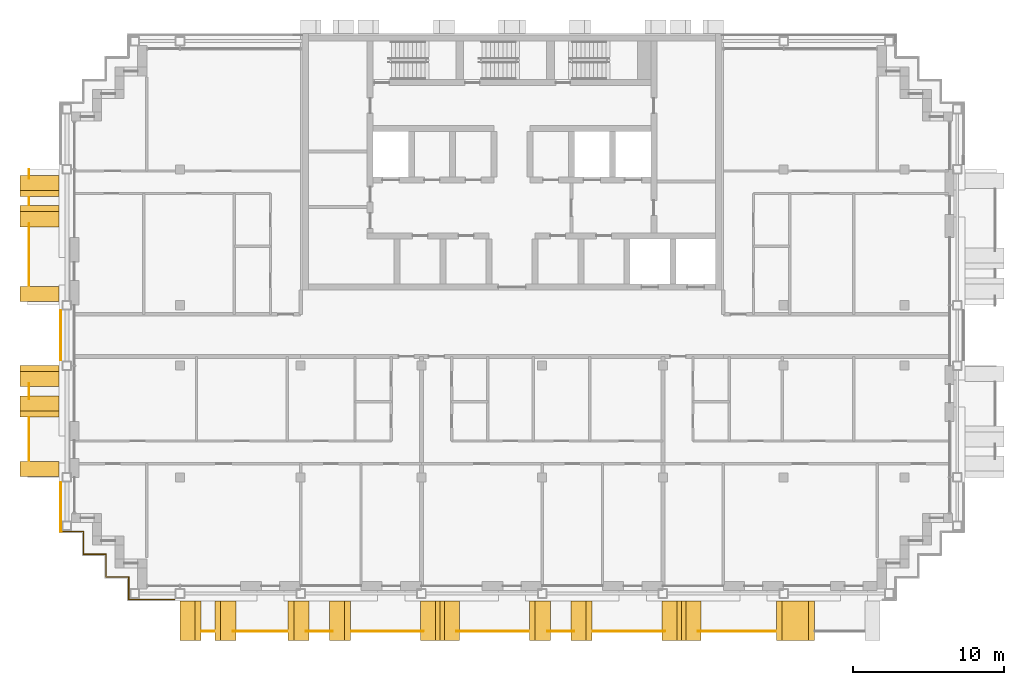
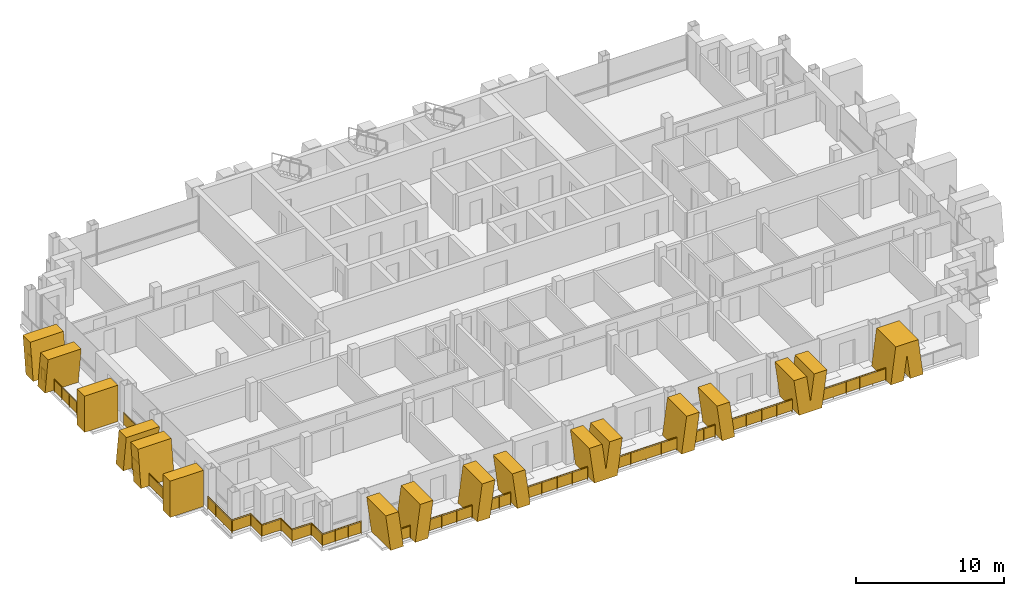
# One storey, part 12 of 15: 16 railings, 15 shading devices.
"""IFC4 building model written with IfcOpenShell, lengths in metres."""

from ifc_helpers import new_model, si_unit, direction, frame, origin, origin_2d, place, context, subcontext, project, spatial, polyline, rectangle, circle, outline, extrude, material, layer, layer_set, type_object, element, save


model = new_model("IFC4")

# Units and contexts
model_context = context("Model", 3, precision=1e-05, world=origin(), true_north=direction((0.0, 1.0)))
body_context = subcontext(model_context, "Body", "Model", "MODEL_VIEW")
ifc_project = project(units=[si_unit("LENGTHUNIT", "METRE"), si_unit("AREAUNIT", "SQUARE_METRE"), si_unit("VOLUMEUNIT", "CUBIC_METRE"), si_unit("PLANEANGLEUNIT", "RADIAN"), si_unit("MASSUNIT", "GRAM", prefix="KILO")], contexts=[model_context])

# Site, building, storey
site_placement = place(None, origin())
site = spatial("IfcSite", under=ifc_project, at=site_placement, CompositionType="ELEMENT")
building_placement = place(site_placement, origin())
building = spatial("IfcBuilding", under=site, at=building_placement, Name="Vidyagriha Tower", CompositionType="ELEMENT")
storey_placement = place(building_placement, frame((0.0, 0.0, 226.800048828125)))
storey = spatial("IfcBuildingStorey", under=building, at=storey_placement, Name="L59", CompositionType="ELEMENT", Elevation=226.800048828125)

# Railings
ifc_material_1 = material(Name="Steel ASTM A500 Grade C black painted", Category="steel")
railing_type_1 = type_object("IfcRailingType", Name="Balcony guard 1100", PredefinedType="BALUSTRADE", material=ifc_material_1)
railing_1_placement = place(storey_placement, frame((-32.0, 11.0, 0.0)))
element("IfcRailing", 1, at=railing_1_placement, inside=storey, type_object=railing_type_1, Name="Balcony guard L59 R16.1-1", PredefinedType="BALUSTRADE", context=body_context, shape_type="SweptSolid", body=[
    extrude(circle(Radius=0.02490234375, at=origin_2d()), frame((0.0, 0.0, 1.0751953125), z_axis=(0.0, -1.0, 0.0), x_axis=(1.0, 0.0, 0.0)), (0.0, 0.0, 1.0), 0.5966796875),
    extrude(circle(Radius=0.02001953125, at=origin_2d()), origin(), (0.0, 0.0, 1.0), 1.050048828125),
    extrude(circle(Radius=0.02001953125, at=origin_2d()), frame((0.0, -0.5966796875, 0.0)), (0.0, 0.0, 1.0), 1.050048828125),
    extrude(rectangle(XDim=0.010009765625, YDim=0.900146484375, at=origin_2d()), frame((0.0, 0.0, 0.550048828125), z_axis=(0.0, -1.0, 0.0), x_axis=(1.0, 0.0, 0.0)), (0.0, 0.0, 1.0), 0.5966796875),
])
railing_2_placement = place(storey_placement, frame((-32.0, 9.14990234375, 0.0)))
element("IfcRailing", 2, at=railing_2_placement, inside=storey, type_object=railing_type_1, Name="Balcony guard L59 R16.1-2", PredefinedType="BALUSTRADE", context=body_context, shape_type="SweptSolid", body=[
    extrude(circle(Radius=0.02490234375, at=origin_2d()), frame((0.0, 0.0, 1.0751953125), z_axis=(0.0, -1.0, 0.0), x_axis=(1.0, 0.0, 0.0)), (0.0, 0.0, 1.0), 0.5),
    extrude(circle(Radius=0.02001953125, at=origin_2d()), origin(), (0.0, 0.0, 1.0), 1.050048828125),
    extrude(circle(Radius=0.02001953125, at=origin_2d()), frame((0.0, -0.5, 0.0)), (0.0, 0.0, 1.0), 1.050048828125),
    extrude(rectangle(XDim=0.010009765625, YDim=0.900146484375, at=origin_2d()), frame((0.0, 0.0, 0.550048828125), z_axis=(0.0, -1.0, 0.0), x_axis=(1.0, 0.0, 0.0)), (0.0, 0.0, 1.0), 0.5),
])
railing_3_placement = place(storey_placement, frame((-32.0, 7.396728515625, 0.0)))
element("IfcRailing", 3, at=railing_3_placement, inside=storey, type_object=railing_type_1, Name="Balcony guard L59 R16.1-3", PredefinedType="BALUSTRADE", context=body_context, shape_type="SweptSolid", body=[
    extrude(circle(Radius=0.02490234375, at=origin_2d()), frame((0.0, 0.0, 1.0751953125), z_axis=(0.0, -1.0, 0.0), x_axis=(1.0, 0.0, 0.0)), (0.0, 0.0, 1.0), 4.0966796875),
    extrude(circle(Radius=0.02001953125, at=origin_2d()), origin(), (0.0, 0.0, 1.0), 1.050048828125),
    extrude(circle(Radius=0.02001953125, at=origin_2d()), frame((0.0, -1.024169921875, 0.0)), (0.0, 0.0, 1.0), 1.050048828125),
    extrude(circle(Radius=0.02001953125, at=origin_2d()), frame((0.0, -2.04833984375, 0.0)), (0.0, 0.0, 1.0), 1.050048828125),
    extrude(circle(Radius=0.02001953125, at=origin_2d()), frame((0.0, -3.072509765625, 0.0)), (0.0, 0.0, 1.0), 1.050048828125),
    extrude(circle(Radius=0.02001953125, at=origin_2d()), frame((0.0, -4.0966796875, 0.0)), (0.0, 0.0, 1.0), 1.050048828125),
    extrude(rectangle(XDim=0.010009765625, YDim=0.900146484375, at=origin_2d()), frame((0.0, 0.0, 0.550048828125), z_axis=(0.0, -1.0, 0.0), x_axis=(1.0, 0.0, 0.0)), (0.0, 0.0, 1.0), 4.0966796875),
])
railing_4_placement = place(storey_placement, frame((-32.0, -3.203369140625, 0.0)))
element("IfcRailing", 4, at=railing_4_placement, inside=storey, type_object=railing_type_1, Name="Balcony guard L59 R16.2-1", PredefinedType="BALUSTRADE", context=body_context, shape_type="SweptSolid", body=[
    extrude(circle(Radius=0.02490234375, at=origin_2d()), frame((0.0, 0.0, 1.0751953125), z_axis=(0.0, -1.0, 0.0), x_axis=(1.0, 0.0, 0.0)), (0.0, 0.0, 1.0), 0.993408203125),
    extrude(circle(Radius=0.02001953125, at=origin_2d()), origin(), (0.0, 0.0, 1.0), 1.050048828125),
    extrude(circle(Radius=0.02001953125, at=origin_2d()), frame((0.0, -0.993408203125, 0.0)), (0.0, 0.0, 1.0), 1.050048828125),
    extrude(rectangle(XDim=0.010009765625, YDim=0.900146484375, at=origin_2d()), frame((0.0, 0.0, 0.550048828125), z_axis=(0.0, -1.0, 0.0), x_axis=(1.0, 0.0, 0.0)), (0.0, 0.0, 1.0), 0.993408203125),
])
railing_5_placement = place(storey_placement, frame((-32.0, -5.449951171875, 0.0)))
element("IfcRailing", 5, at=railing_5_placement, inside=storey, type_object=railing_type_1, Name="Balcony guard L59 R16.2-2", PredefinedType="BALUSTRADE", context=body_context, shape_type="SweptSolid", body=[
    extrude(circle(Radius=0.02490234375, at=origin_2d()), frame((0.0, 0.0, 1.0751953125), z_axis=(0.0, -1.0, 0.0), x_axis=(1.0, 0.0, 0.0)), (0.0, 0.0, 1.0), 2.85009765625),
    extrude(circle(Radius=0.02001953125, at=origin_2d()), origin(), (0.0, 0.0, 1.0), 1.050048828125),
    extrude(circle(Radius=0.02001953125, at=origin_2d()), frame((0.0, -0.949951171875, 0.0)), (0.0, 0.0, 1.0), 1.050048828125),
    extrude(circle(Radius=0.02001953125, at=origin_2d()), frame((0.0, -1.900146484375, 0.0)), (0.0, 0.0, 1.0), 1.050048828125),
    extrude(circle(Radius=0.02001953125, at=origin_2d()), frame((0.0, -2.85009765625, 0.0)), (0.0, 0.0, 1.0), 1.050048828125),
    extrude(rectangle(XDim=0.010009765625, YDim=0.900146484375, at=origin_2d()), frame((0.0, 0.0, 0.550048828125), z_axis=(0.0, -1.0, 0.0), x_axis=(1.0, 0.0, 0.0)), (0.0, 0.0, 1.0), 2.85009765625),
])
railing_6_placement = place(storey_placement, frame((-20.564208984375, -19.60009765625, 0.0)))
element("IfcRailing", 6, at=railing_6_placement, inside=storey, type_object=railing_type_1, Name="Balcony guard L59 R23.1-1", PredefinedType="BALUSTRADE", context=body_context, shape_type="SweptSolid", body=[
    extrude(circle(Radius=0.02490234375, at=origin_2d()), frame((0.0, 0.0, 1.0751953125), z_axis=(1.0, 0.0, 0.0), x_axis=(0.0, 1.0, 0.0)), (0.0, 0.0, 1.0), 0.82861328125),
    extrude(circle(Radius=0.02001953125, at=origin_2d()), origin(), (0.0, 0.0, 1.0), 1.050048828125),
    extrude(circle(Radius=0.02001953125, at=origin_2d()), frame((0.82861328125, 0.0, 0.0)), (0.0, 0.0, 1.0), 1.050048828125),
    extrude(rectangle(XDim=0.010009765625, YDim=0.900146484375, at=origin_2d()), frame((0.0, 0.0, 0.550048828125), z_axis=(1.0, 0.0, 0.0), x_axis=(0.0, 1.0, 0.0)), (0.0, 0.0, 1.0), 0.82861328125),
])
railing_7_placement = place(storey_placement, frame((-18.48779296875, -19.60009765625, 0.0)))
element("IfcRailing", 7, at=railing_7_placement, inside=storey, type_object=railing_type_1, Name="Balcony guard L59 R23.1-2", PredefinedType="BALUSTRADE", context=body_context, shape_type="SweptSolid", body=[
    extrude(circle(Radius=0.02490234375, at=origin_2d()), frame((0.0, 0.0, 1.0751953125), z_axis=(1.0, 0.0, 0.0), x_axis=(0.0, 1.0, 0.0)), (0.0, 0.0, 1.0), 3.582763671875),
    extrude(circle(Radius=0.02001953125, at=origin_2d()), origin(), (0.0, 0.0, 1.0), 1.050048828125),
    extrude(circle(Radius=0.02001953125, at=origin_2d()), frame((1.1943359375, 0.0, 0.0)), (0.0, 0.0, 1.0), 1.050048828125),
    extrude(circle(Radius=0.02001953125, at=origin_2d()), frame((2.388427734375, 0.0, 0.0)), (0.0, 0.0, 1.0), 1.050048828125),
    extrude(circle(Radius=0.02001953125, at=origin_2d()), frame((3.582763671875, 0.0, 0.0)), (0.0, 0.0, 1.0), 1.050048828125),
    extrude(rectangle(XDim=0.010009765625, YDim=0.900146484375, at=origin_2d()), frame((0.0, 0.0, 0.550048828125), z_axis=(1.0, 0.0, 0.0), x_axis=(0.0, 1.0, 0.0)), (0.0, 0.0, 1.0), 3.582763671875),
])
railing_8_placement = place(storey_placement, frame((-13.653564453125, -19.60009765625, 0.0)))
element("IfcRailing", 8, at=railing_8_placement, inside=storey, type_object=railing_type_1, Name="Balcony guard L59 R23.1-3", PredefinedType="BALUSTRADE", context=body_context, shape_type="SweptSolid", body=[
    extrude(circle(Radius=0.02490234375, at=origin_2d()), frame((0.0, 0.0, 1.0751953125), z_axis=(1.0, 0.0, 0.0), x_axis=(0.0, 1.0, 0.0)), (0.0, 0.0, 1.0), 1.757080078125),
    extrude(circle(Radius=0.02001953125, at=origin_2d()), origin(), (0.0, 0.0, 1.0), 1.050048828125),
    extrude(circle(Radius=0.02001953125, at=origin_2d()), frame((0.87841796875, 0.0, 0.0)), (0.0, 0.0, 1.0), 1.050048828125),
    extrude(circle(Radius=0.02001953125, at=origin_2d()), frame((1.757080078125, 0.0, 0.0)), (0.0, 0.0, 1.0), 1.050048828125),
    extrude(rectangle(XDim=0.010009765625, YDim=0.900146484375, at=origin_2d()), frame((0.0, 0.0, 0.550048828125), z_axis=(1.0, 0.0, 0.0), x_axis=(0.0, 1.0, 0.0)), (0.0, 0.0, 1.0), 1.757080078125),
])
railing_9_placement = place(storey_placement, frame((-10.64501953125, -19.60009765625, 0.0)))
element("IfcRailing", 9, at=railing_9_placement, inside=storey, type_object=railing_type_1, Name="Balcony guard L59 R23.1-4", PredefinedType="BALUSTRADE", context=body_context, shape_type="SweptSolid", body=[
    extrude(circle(Radius=0.02490234375, at=origin_2d()), frame((0.0, 0.0, 1.0751953125), z_axis=(1.0, 0.0, 0.0), x_axis=(0.0, 1.0, 0.0)), (0.0, 0.0, 1.0), 4.773681640625),
    extrude(circle(Radius=0.02001953125, at=origin_2d()), origin(), (0.0, 0.0, 1.0), 1.050048828125),
    extrude(circle(Radius=0.02001953125, at=origin_2d()), frame((1.193359375, 0.0, 0.0)), (0.0, 0.0, 1.0), 1.050048828125),
    extrude(circle(Radius=0.02001953125, at=origin_2d()), frame((2.38671875, 0.0, 0.0)), (0.0, 0.0, 1.0), 1.050048828125),
    extrude(circle(Radius=0.02001953125, at=origin_2d()), frame((3.580322265625, 0.0, 0.0)), (0.0, 0.0, 1.0), 1.050048828125),
    extrude(circle(Radius=0.02001953125, at=origin_2d()), frame((4.773681640625, 0.0, 0.0)), (0.0, 0.0, 1.0), 1.050048828125),
    extrude(rectangle(XDim=0.010009765625, YDim=0.900146484375, at=origin_2d()), frame((0.0, 0.0, 0.550048828125), z_axis=(1.0, 0.0, 0.0), x_axis=(0.0, 1.0, 0.0)), (0.0, 0.0, 1.0), 4.773681640625),
])
railing_10_placement = place(storey_placement, frame((-3.678466796875, -19.60009765625, 0.0)))
element("IfcRailing", 10, at=railing_10_placement, inside=storey, type_object=railing_type_1, Name="Balcony guard L59 R23.1-5", PredefinedType="BALUSTRADE", context=body_context, shape_type="SweptSolid", body=[
    extrude(circle(Radius=0.02490234375, at=origin_2d()), frame((0.0, 0.0, 1.0751953125), z_axis=(1.0, 0.0, 0.0), x_axis=(0.0, 1.0, 0.0)), (0.0, 0.0, 1.0), 4.7734375),
    extrude(circle(Radius=0.02001953125, at=origin_2d()), origin(), (0.0, 0.0, 1.0), 1.050048828125),
    extrude(circle(Radius=0.02001953125, at=origin_2d()), frame((1.193359375, 0.0, 0.0)), (0.0, 0.0, 1.0), 1.050048828125),
    extrude(circle(Radius=0.02001953125, at=origin_2d()), frame((2.38671875, 0.0, 0.0)), (0.0, 0.0, 1.0), 1.050048828125),
    extrude(circle(Radius=0.02001953125, at=origin_2d()), frame((3.580078125, 0.0, 0.0)), (0.0, 0.0, 1.0), 1.050048828125),
    extrude(circle(Radius=0.02001953125, at=origin_2d()), frame((4.7734375, 0.0, 0.0)), (0.0, 0.0, 1.0), 1.050048828125),
    extrude(rectangle(XDim=0.010009765625, YDim=0.900146484375, at=origin_2d()), frame((0.0, 0.0, 0.550048828125), z_axis=(1.0, 0.0, 0.0), x_axis=(0.0, 1.0, 0.0)), (0.0, 0.0, 1.0), 4.7734375),
])
railing_11_placement = place(storey_placement, frame((2.346435546875, -19.60009765625, 0.0)))
element("IfcRailing", 11, at=railing_11_placement, inside=storey, type_object=railing_type_1, Name="Balcony guard L59 R23.1-6", PredefinedType="BALUSTRADE", context=body_context, shape_type="SweptSolid", body=[
    extrude(circle(Radius=0.02490234375, at=origin_2d()), frame((0.0, 0.0, 1.0751953125), z_axis=(1.0, 0.0, 0.0), x_axis=(0.0, 1.0, 0.0)), (0.0, 0.0, 1.0), 1.757080078125),
    extrude(circle(Radius=0.02001953125, at=origin_2d()), origin(), (0.0, 0.0, 1.0), 1.050048828125),
    extrude(circle(Radius=0.02001953125, at=origin_2d()), frame((0.87841796875, 0.0, 0.0)), (0.0, 0.0, 1.0), 1.050048828125),
    extrude(circle(Radius=0.02001953125, at=origin_2d()), frame((1.757080078125, 0.0, 0.0)), (0.0, 0.0, 1.0), 1.050048828125),
    extrude(rectangle(XDim=0.010009765625, YDim=0.900146484375, at=origin_2d()), frame((0.0, 0.0, 0.550048828125), z_axis=(1.0, 0.0, 0.0), x_axis=(0.0, 1.0, 0.0)), (0.0, 0.0, 1.0), 1.757080078125),
])
railing_12_placement = place(storey_placement, frame((5.35498046875, -19.60009765625, 0.0)))
element("IfcRailing", 12, at=railing_12_placement, inside=storey, type_object=railing_type_1, Name="Balcony guard L59 R23.1-7", PredefinedType="BALUSTRADE", context=body_context, shape_type="SweptSolid", body=[
    extrude(circle(Radius=0.02490234375, at=origin_2d()), frame((0.0, 0.0, 1.0751953125), z_axis=(1.0, 0.0, 0.0), x_axis=(0.0, 1.0, 0.0)), (0.0, 0.0, 1.0), 4.773681640625),
    extrude(circle(Radius=0.02001953125, at=origin_2d()), origin(), (0.0, 0.0, 1.0), 1.050048828125),
    extrude(circle(Radius=0.02001953125, at=origin_2d()), frame((1.193359375, 0.0, 0.0)), (0.0, 0.0, 1.0), 1.050048828125),
    extrude(circle(Radius=0.02001953125, at=origin_2d()), frame((2.38671875, 0.0, 0.0)), (0.0, 0.0, 1.0), 1.050048828125),
    extrude(circle(Radius=0.02001953125, at=origin_2d()), frame((3.580322265625, 0.0, 0.0)), (0.0, 0.0, 1.0), 1.050048828125),
    extrude(circle(Radius=0.02001953125, at=origin_2d()), frame((4.773681640625, 0.0, 0.0)), (0.0, 0.0, 1.0), 1.050048828125),
    extrude(rectangle(XDim=0.010009765625, YDim=0.900146484375, at=origin_2d()), frame((0.0, 0.0, 0.550048828125), z_axis=(1.0, 0.0, 0.0), x_axis=(0.0, 1.0, 0.0)), (0.0, 0.0, 1.0), 4.773681640625),
])
railing_13_placement = place(storey_placement, frame((12.321533203125, -19.60009765625, 0.0)))
element("IfcRailing", 13, at=railing_13_placement, inside=storey, type_object=railing_type_1, Name="Balcony guard L59 R23.1-8", PredefinedType="BALUSTRADE", context=body_context, shape_type="SweptSolid", body=[
    extrude(circle(Radius=0.02490234375, at=origin_2d()), frame((0.0, 0.0, 1.0751953125), z_axis=(1.0, 0.0, 0.0), x_axis=(0.0, 1.0, 0.0)), (0.0, 0.0, 1.0), 5.140869140625),
    extrude(circle(Radius=0.02001953125, at=origin_2d()), origin(), (0.0, 0.0, 1.0), 1.050048828125),
    extrude(circle(Radius=0.02001953125, at=origin_2d()), frame((1.028076171875, 0.0, 0.0)), (0.0, 0.0, 1.0), 1.050048828125),
    extrude(circle(Radius=0.02001953125, at=origin_2d()), frame((2.056396484375, 0.0, 0.0)), (0.0, 0.0, 1.0), 1.050048828125),
    extrude(circle(Radius=0.02001953125, at=origin_2d()), frame((3.08447265625, 0.0, 0.0)), (0.0, 0.0, 1.0), 1.050048828125),
    extrude(circle(Radius=0.02001953125, at=origin_2d()), frame((4.11279296875, 0.0, 0.0)), (0.0, 0.0, 1.0), 1.050048828125),
    extrude(circle(Radius=0.02001953125, at=origin_2d()), frame((5.140869140625, 0.0, 0.0)), (0.0, 0.0, 1.0), 1.050048828125),
    extrude(rectangle(XDim=0.010009765625, YDim=0.900146484375, at=origin_2d()), frame((0.0, 0.0, 0.550048828125), z_axis=(1.0, 0.0, 0.0), x_axis=(0.0, 1.0, 0.0)), (0.0, 0.0, 1.0), 5.140869140625),
])

# Shading devices
ifc_material_2 = material(Name="Precast concrete C40/50 with buff brick facing", Category="concrete")
ifc_layer_1 = layer(ifc_material_2, 1.0)
ifc_layer_set_1 = layer_set([ifc_layer_1], Name="Precast concrete C40/50 with buff brick facing")
shading_device_type_1 = type_object("IfcShadingDeviceType", Name="Brick-faced blade fin arm leaning 8 degrees", PredefinedType="USERDEFINED", material=ifc_layer_set_1)
shading_device_1_placement = place(storey_placement, frame((-31.300048828125, 8.60009765625, 0.0), z_axis=(0.0, 0.0, 1.0), x_axis=(0.0, -1.0, 0.0)))
element("IfcShadingDevice", 14, at=shading_device_1_placement, inside=storey, type_object=shading_device_type_1, Name="Leaning blade fin L59 R16.320a", ObjectType="BLADE FIN", PredefinedType="USERDEFINED", context=body_context, shape_type="SweptSolid", body=[
    extrude(outline(polyline([(0.0, 0.0), (1.0, 0.0), (1.39990234375, 3.0), (0.39990234375, 3.0), (0.0, 0.0)])), frame((0.0, 1.300048828125, 0.0), z_axis=(0.0, -1.0, 0.0), x_axis=(1.0, 0.0, 0.0)), (0.0, 0.0, 1.0), 2.60009765625),
])
for number, where, z_axis, x_axis, name in (
    (15, (-31.300048828125, 10.60009765625, 0.0), (0.0, 0.0, 1.0), (0.0, -1.0, 0.0), "Leaning blade fin L59 R16.320b"),
    (16, (-31.300048828125, -4.0, 0.0), (0.0, 0.0, 1.0), (0.0, -1.0, 0.0), "Leaning blade fin L59 R16.1620a"),
):
    element("IfcShadingDevice", number, at=place(storey_placement, frame(where, z_axis=z_axis, x_axis=x_axis)), inside=storey, type_object=shading_device_type_1, Name=name, ObjectType="BLADE FIN", PredefinedType="USERDEFINED", context=body_context, shape_type="SweptSolid", body=[
        extrude(outline(polyline([(0.39990234375, 0.0), (1.39990234375, 0.0), (1.0, 3.0), (0.0, 3.0), (0.39990234375, 0.0)])), frame((0.0, 1.300048828125, 0.0), z_axis=(0.0, -1.0, 0.0), x_axis=(1.0, 0.0, 0.0)), (0.0, 0.0, 1.0), 2.60009765625),
    ])
shading_device_2_placement = place(storey_placement, frame((-31.300048828125, -2.0, 0.0), z_axis=(0.0, 0.0, 1.0), x_axis=(0.0, -1.0, 0.0)))
element("IfcShadingDevice", 17, at=shading_device_2_placement, inside=storey, type_object=shading_device_type_1, Name="Leaning blade fin L59 R16.1620b", ObjectType="BLADE FIN", PredefinedType="USERDEFINED", context=body_context, shape_type="SweptSolid", body=[
    extrude(outline(polyline([(0.0, 0.0), (1.0, 0.0), (1.39990234375, 3.0), (0.39990234375, 3.0), (0.0, 0.0)])), frame((0.0, 1.300048828125, 0.0), z_axis=(0.0, -1.0, 0.0), x_axis=(1.0, 0.0, 0.0)), (0.0, 0.0, 1.0), 2.60009765625),
])
shading_device_3_placement = place(storey_placement, frame((-19.685791015625, -18.89990234375, 0.0)))
element("IfcShadingDevice", 18, at=shading_device_3_placement, inside=storey, type_object=shading_device_type_1, Name="Leaning blade fin L59 R23.220a", ObjectType="BLADE FIN", PredefinedType="USERDEFINED", context=body_context, shape_type="SweptSolid", body=[
    extrude(outline(polyline([(0.0, 0.0), (1.0, 0.0), (1.3857421875, 3.0), (0.3857421875, 3.0), (0.0, 0.0)])), frame((0.0, 1.300048828125, 0.0), z_axis=(0.0, -1.0, 0.0), x_axis=(1.0, 0.0, 0.0)), (0.0, 0.0, 1.0), 2.60009765625),
])
shading_device_4_placement = place(storey_placement, frame((-22.0, -18.89990234375, 0.0)))
element("IfcShadingDevice", 19, at=shading_device_4_placement, inside=storey, type_object=shading_device_type_1, Name="Leaning blade fin L59 R23.220b", ObjectType="BLADE FIN", PredefinedType="USERDEFINED", context=body_context, shape_type="SweptSolid", body=[
    extrude(outline(polyline([(0.3857421875, 0.0), (1.3857421875, 0.0), (1.0, 3.0), (0.0, 3.0), (0.3857421875, 0.0)])), frame((0.0, 1.300048828125, 0.0), z_axis=(0.0, -1.0, 0.0), x_axis=(1.0, 0.0, 0.0)), (0.0, 0.0, 1.0), 2.60009765625),
])
shading_device_5_placement = place(storey_placement, frame((-12.090087890625, -18.89990234375, 0.0)))
element("IfcShadingDevice", 20, at=shading_device_5_placement, inside=storey, type_object=shading_device_type_1, Name="Leaning blade fin L59 R23.1020a", ObjectType="BLADE FIN", PredefinedType="USERDEFINED", context=body_context, shape_type="SweptSolid", body=[
    extrude(outline(polyline([(0.39501953125, 0.0), (1.39501953125, 0.0), (1.0, 3.0), (0.0, 3.0), (0.39501953125, 0.0)])), frame((0.0, 1.300048828125, 0.0), z_axis=(0.0, -1.0, 0.0), x_axis=(1.0, 0.0, 0.0)), (0.0, 0.0, 1.0), 2.60009765625),
])
shading_device_6_placement = place(storey_placement, frame((-14.85498046875, -18.89990234375, 0.0)))
element("IfcShadingDevice", 21, at=shading_device_6_placement, inside=storey, type_object=shading_device_type_1, Name="Leaning blade fin L59 R23.1020b", ObjectType="BLADE FIN", PredefinedType="USERDEFINED", context=body_context, shape_type="SweptSolid", body=[
    extrude(outline(polyline([(0.0, 0.0), (1.0, 0.0), (1.39501953125, 3.0), (0.39501953125, 3.0), (0.0, 0.0)])), frame((0.0, 1.300048828125, 0.0), z_axis=(0.0, -1.0, 0.0), x_axis=(1.0, 0.0, 0.0)), (0.0, 0.0, 1.0), 2.60009765625),
])
shading_device_7_placement = place(storey_placement, frame((3.909912109375, -18.89990234375, 0.0)))
element("IfcShadingDevice", 22, at=shading_device_7_placement, inside=storey, type_object=shading_device_type_1, Name="Leaning blade fin L59 R23.2620a", ObjectType="BLADE FIN", PredefinedType="USERDEFINED", context=body_context, shape_type="SweptSolid", body=[
    extrude(outline(polyline([(0.39501953125, 0.0), (1.39501953125, 0.0), (1.0, 3.0), (0.0, 3.0), (0.39501953125, 0.0)])), frame((0.0, 1.300048828125, 0.0), z_axis=(0.0, -1.0, 0.0), x_axis=(1.0, 0.0, 0.0)), (0.0, 0.0, 1.0), 2.60009765625),
])
shading_device_8_placement = place(storey_placement, frame((1.14501953125, -18.89990234375, 0.0)))
element("IfcShadingDevice", 23, at=shading_device_8_placement, inside=storey, type_object=shading_device_type_1, Name="Leaning blade fin L59 R23.2620b", ObjectType="BLADE FIN", PredefinedType="USERDEFINED", context=body_context, shape_type="SweptSolid", body=[
    extrude(outline(polyline([(0.0, 0.0), (1.0, 0.0), (1.39501953125, 3.0), (0.39501953125, 3.0), (0.0, 0.0)])), frame((0.0, 1.300048828125, 0.0), z_axis=(0.0, -1.0, 0.0), x_axis=(1.0, 0.0, 0.0)), (0.0, 0.0, 1.0), 2.60009765625),
])
ifc_material_3 = material(Name="Precast concrete C40/50 with buff brick facing", Category="concrete")
ifc_layer_2 = layer(ifc_material_3, 1.0)
ifc_layer_set_2 = layer_set([ifc_layer_2], Name="Precast concrete C40/50 with buff brick facing")
shading_device_type_2 = type_object("IfcShadingDeviceType", Name="Brick-faced blade fin forking 8 degrees", PredefinedType="USERDEFINED", material=ifc_layer_set_2)
for number, where, name in (
    (24, (-6.06494140625, -18.89990234375, 0.0), "Forked blade fin L59 R23.1820a"),
    (25, (9.93505859375, -18.89990234375, 0.0), "Forked blade fin L59 R23.3420a"),
):
    element("IfcShadingDevice", number, at=place(storey_placement, frame(where)), inside=storey, type_object=shading_device_type_2, Name=name, ObjectType="BLADE FIN", PredefinedType="USERDEFINED", context=body_context, shape_type="SweptSolid", body=[
        extrude(outline(polyline([(0.39501953125, 0.0), (2.18505859375, 0.0), (2.580078125, 3.0), (1.580078125, 3.0), (1.2900390625, 0.79736328125), (1.0, 3.0), (0.0, 3.0), (0.39501953125, 0.0)])), frame((0.0, 1.300048828125, 0.0), z_axis=(0.0, -1.0, 0.0), x_axis=(1.0, 0.0, 0.0)), (0.0, 0.0, 1.0), 2.60009765625),
    ])
shading_device_9_placement = place(storey_placement, frame((17.512451171875, -18.89990234375, 0.0)))
element("IfcShadingDevice", 26, at=shading_device_9_placement, inside=storey, type_object=shading_device_type_2, Name="Forked blade fin L59 R23.4220a", ObjectType="BLADE FIN", PredefinedType="USERDEFINED", context=body_context, shape_type="SweptSolid", body=[
    extrude(outline(polyline([(1.0, 0.0), (1.262451171875, 2.0654296875), (1.52490234375, 0.0), (2.52490234375, 0.0), (2.143798828125, 3.0), (0.38134765625, 3.0), (0.0, 0.0), (1.0, 0.0)])), frame((0.0, 1.300048828125, 0.0), z_axis=(0.0, -1.0, 0.0), x_axis=(1.0, 0.0, 0.0)), (0.0, 0.0, 1.0), 2.60009765625),
])
ifc_material_4 = material(Name="Precast concrete C40/50 with buff brick facing", Category="concrete")
ifc_layer_3 = layer(ifc_material_4, 1.0)
ifc_layer_set_3 = layer_set([ifc_layer_3], Name="Precast concrete C40/50 with buff brick facing")
shading_device_type_3 = type_object("IfcShadingDeviceType", Name="Brick-faced blade fin stem 1000", PredefinedType="USERDEFINED", material=ifc_layer_set_3)
for number, where, z_axis, x_axis, name in (
    (27, (-31.300048828125, 3.25, 0.0), (0.0, 0.0, 1.0), (0.0, -1.0, 0.0), "Stem blade fin L59 R16.1220a"),
    (28, (-31.300048828125, -8.35009765625, 0.0), (0.0, 0.0, 1.0), (0.0, -1.0, 0.0), "Stem blade fin L59 R16.2360a"),
):
    element("IfcShadingDevice", number, at=place(storey_placement, frame(where, z_axis=z_axis, x_axis=x_axis)), inside=storey, type_object=shading_device_type_3, Name=name, ObjectType="BLADE FIN", PredefinedType="USERDEFINED", context=body_context, shape_type="SweptSolid", body=[
        extrude(outline(polyline([(0.0, 0.0), (1.0, 0.0), (1.0, 3.0), (0.0, 3.0), (0.0, 0.0)])), frame((0.0, 1.300048828125, 0.0), z_axis=(0.0, -1.0, 0.0), x_axis=(1.0, 0.0, 0.0)), (0.0, 0.0, 1.0), 2.60009765625),
    ])

# Railings
ifc_material_5 = material(Name="Steel ASTM A500 Grade C black painted", Category="steel")
railing_type_2 = type_object("IfcRailingType", Name="Gallery guard 1100", PredefinedType="GUARDRAIL", material=ifc_material_5)
railing_14_placement = place(storey_placement, frame((-22.360107421875, -17.5, 0.0)))
element("IfcRailing", 29, at=railing_14_placement, inside=storey, type_object=railing_type_2, Name="Gallery guard L59 1", PredefinedType="GUARDRAIL", context=body_context, shape_type="SweptSolid", body=[
    extrude(circle(Radius=0.02490234375, at=origin_2d()), frame((0.0, 0.0, 1.0751953125), z_axis=(-1.0, 0.0, 0.0), x_axis=(0.0, -1.0, 0.0)), (0.0, 0.0, 1.0), 3.039794921875),
    extrude(circle(Radius=0.02490234375, at=origin_2d()), frame((-3.039794921875, 0.0, 1.0751953125), z_axis=(0.0, 1.0, 0.0), x_axis=(-1.0, 0.0, 0.0)), (0.0, 0.0, 1.0), 1.5),
    extrude(circle(Radius=0.02490234375, at=origin_2d()), frame((-3.039794921875, 1.5, 1.0751953125), z_axis=(-1.0, 0.0, 0.0), x_axis=(0.0, -1.0, 0.0)), (0.0, 0.0, 1.0), 1.5),
    extrude(circle(Radius=0.02490234375, at=origin_2d()), frame((-4.539794921875, 1.5, 1.0751953125), z_axis=(0.0, 1.0, 0.0), x_axis=(-1.0, 0.0, 0.0)), (0.0, 0.0, 1.0), 1.5),
    extrude(circle(Radius=0.02490234375, at=origin_2d()), frame((-4.539794921875, 3.0, 1.0751953125), z_axis=(-1.0, 0.0, 0.0), x_axis=(0.0, -1.0, 0.0)), (0.0, 0.0, 1.0), 1.5),
    extrude(circle(Radius=0.02490234375, at=origin_2d()), frame((-6.039794921875, 3.0, 1.0751953125), z_axis=(0.0, 1.0, 0.0), x_axis=(-1.0, 0.0, 0.0)), (0.0, 0.0, 1.0), 1.5),
    extrude(circle(Radius=0.02490234375, at=origin_2d()), frame((-6.039794921875, 4.5, 1.0751953125), z_axis=(-1.0, 0.0, 0.0), x_axis=(0.0, -1.0, 0.0)), (0.0, 0.0, 1.0), 1.460205078125),
    extrude(circle(Radius=0.02001953125, at=origin_2d()), origin(), (0.0, 0.0, 1.0), 1.050048828125),
    extrude(circle(Radius=0.02001953125, at=origin_2d()), frame((-1.01318359375, 0.0, 0.0)), (0.0, 0.0, 1.0), 1.050048828125),
    extrude(circle(Radius=0.02001953125, at=origin_2d()), frame((-2.026611328125, 0.0, 0.0)), (0.0, 0.0, 1.0), 1.050048828125),
    extrude(circle(Radius=0.02001953125, at=origin_2d()), frame((-3.039794921875, 0.0, 0.0)), (0.0, 0.0, 1.0), 1.050048828125),
    extrude(circle(Radius=0.02001953125, at=origin_2d()), frame((-3.039794921875, 1.5, 0.0)), (0.0, 0.0, 1.0), 1.050048828125),
    extrude(circle(Radius=0.02001953125, at=origin_2d()), frame((-4.539794921875, 1.5, 0.0)), (0.0, 0.0, 1.0), 1.050048828125),
    extrude(circle(Radius=0.02001953125, at=origin_2d()), frame((-4.539794921875, 3.0, 0.0)), (0.0, 0.0, 1.0), 1.050048828125),
    extrude(circle(Radius=0.02001953125, at=origin_2d()), frame((-6.039794921875, 3.0, 0.0)), (0.0, 0.0, 1.0), 1.050048828125),
    extrude(circle(Radius=0.02001953125, at=origin_2d()), frame((-6.039794921875, 4.5, 0.0)), (0.0, 0.0, 1.0), 1.050048828125),
    extrude(circle(Radius=0.02001953125, at=origin_2d()), frame((-7.5, 4.5, 0.0)), (0.0, 0.0, 1.0), 1.050048828125),
    extrude(rectangle(XDim=0.010009765625, YDim=0.900146484375, at=origin_2d()), frame((0.0, 0.0, 0.550048828125), z_axis=(-1.0, 0.0, 0.0), x_axis=(0.0, -1.0, 0.0)), (0.0, 0.0, 1.0), 3.039794921875),
    extrude(rectangle(XDim=0.010009765625, YDim=0.900146484375, at=origin_2d()), frame((-3.039794921875, 0.0, 0.550048828125), z_axis=(0.0, 1.0, 0.0), x_axis=(-1.0, 0.0, 0.0)), (0.0, 0.0, 1.0), 1.5),
    extrude(rectangle(XDim=0.010009765625, YDim=0.900146484375, at=origin_2d()), frame((-3.039794921875, 1.5, 0.550048828125), z_axis=(-1.0, 0.0, 0.0), x_axis=(0.0, -1.0, 0.0)), (0.0, 0.0, 1.0), 1.5),
    extrude(rectangle(XDim=0.010009765625, YDim=0.900146484375, at=origin_2d()), frame((-4.539794921875, 1.5, 0.550048828125), z_axis=(0.0, 1.0, 0.0), x_axis=(-1.0, 0.0, 0.0)), (0.0, 0.0, 1.0), 1.5),
    extrude(rectangle(XDim=0.010009765625, YDim=0.900146484375, at=origin_2d()), frame((-4.539794921875, 3.0, 0.550048828125), z_axis=(-1.0, 0.0, 0.0), x_axis=(0.0, -1.0, 0.0)), (0.0, 0.0, 1.0), 1.5),
    extrude(rectangle(XDim=0.010009765625, YDim=0.900146484375, at=origin_2d()), frame((-6.039794921875, 3.0, 0.550048828125), z_axis=(0.0, 1.0, 0.0), x_axis=(-1.0, 0.0, 0.0)), (0.0, 0.0, 1.0), 1.5),
    extrude(rectangle(XDim=0.010009765625, YDim=0.900146484375, at=origin_2d()), frame((-6.039794921875, 4.5, 0.550048828125), z_axis=(-1.0, 0.0, 0.0), x_axis=(0.0, -1.0, 0.0)), (0.0, 0.0, 1.0), 1.460205078125),
])
railing_15_placement = place(storey_placement, frame((-29.860107421875, -13.0, 0.0)))
element("IfcRailing", 30, at=railing_15_placement, inside=storey, type_object=railing_type_2, Name="Gallery guard L59 2", PredefinedType="GUARDRAIL", context=body_context, shape_type="SweptSolid", body=[
    extrude(circle(Radius=0.02490234375, at=origin_2d()), frame((0.0, 0.0, 1.0751953125), z_axis=(-1.0, 0.0, 0.0), x_axis=(0.0, -1.0, 0.0)), (0.0, 0.0, 1.0), 0.039794921875),
    extrude(circle(Radius=0.02490234375, at=origin_2d()), frame((-0.039794921875, 0.0, 1.0751953125), z_axis=(0.0, 1.0, 0.0), x_axis=(-1.0, 0.0, 0.0)), (0.0, 0.0, 1.0), 3.239990234375),
    extrude(circle(Radius=0.02001953125, at=origin_2d()), origin(), (0.0, 0.0, 1.0), 1.050048828125),
    extrude(circle(Radius=0.02001953125, at=origin_2d()), frame((-0.039794921875, 0.0, 0.0)), (0.0, 0.0, 1.0), 1.050048828125),
    extrude(circle(Radius=0.02001953125, at=origin_2d()), frame((-0.039794921875, 1.080078125, 0.0)), (0.0, 0.0, 1.0), 1.050048828125),
    extrude(circle(Radius=0.02001953125, at=origin_2d()), frame((-0.039794921875, 2.159912109375, 0.0)), (0.0, 0.0, 1.0), 1.050048828125),
    extrude(circle(Radius=0.02001953125, at=origin_2d()), frame((-0.039794921875, 3.239990234375, 0.0)), (0.0, 0.0, 1.0), 1.050048828125),
    extrude(rectangle(XDim=0.010009765625, YDim=0.900146484375, at=origin_2d()), frame((0.0, 0.0, 0.550048828125), z_axis=(-1.0, 0.0, 0.0), x_axis=(0.0, -1.0, 0.0)), (0.0, 0.0, 1.0), 0.039794921875),
    extrude(rectangle(XDim=0.010009765625, YDim=0.900146484375, at=origin_2d()), frame((-0.039794921875, 0.0, 0.550048828125), z_axis=(0.0, 1.0, 0.0), x_axis=(-1.0, 0.0, 0.0)), (0.0, 0.0, 1.0), 3.239990234375),
])
railing_16_placement = place(storey_placement, frame((-29.89990234375, -1.639892578125, 0.0)))
element("IfcRailing", 31, at=railing_16_placement, inside=storey, type_object=railing_type_2, Name="Gallery guard L59 3", PredefinedType="GUARDRAIL", context=body_context, shape_type="SweptSolid", body=[
    extrude(circle(Radius=0.02490234375, at=origin_2d()), frame((0.0, 0.0, 1.0751953125), z_axis=(0.0, 1.0, 0.0), x_axis=(-1.0, 0.0, 0.0)), (0.0, 0.0, 1.0), 3.27978515625),
    extrude(circle(Radius=0.02001953125, at=origin_2d()), origin(), (0.0, 0.0, 1.0), 1.050048828125),
    extrude(circle(Radius=0.02001953125, at=origin_2d()), frame((0.0, 1.09326171875, 0.0)), (0.0, 0.0, 1.0), 1.050048828125),
    extrude(circle(Radius=0.02001953125, at=origin_2d()), frame((0.0, 2.1865234375, 0.0)), (0.0, 0.0, 1.0), 1.050048828125),
    extrude(circle(Radius=0.02001953125, at=origin_2d()), frame((0.0, 3.27978515625, 0.0)), (0.0, 0.0, 1.0), 1.050048828125),
    extrude(rectangle(XDim=0.010009765625, YDim=0.900146484375, at=origin_2d()), frame((0.0, 0.0, 0.550048828125), z_axis=(0.0, 1.0, 0.0), x_axis=(-1.0, 0.0, 0.0)), (0.0, 0.0, 1.0), 3.27978515625),
])

save(model, "model.ifc")
